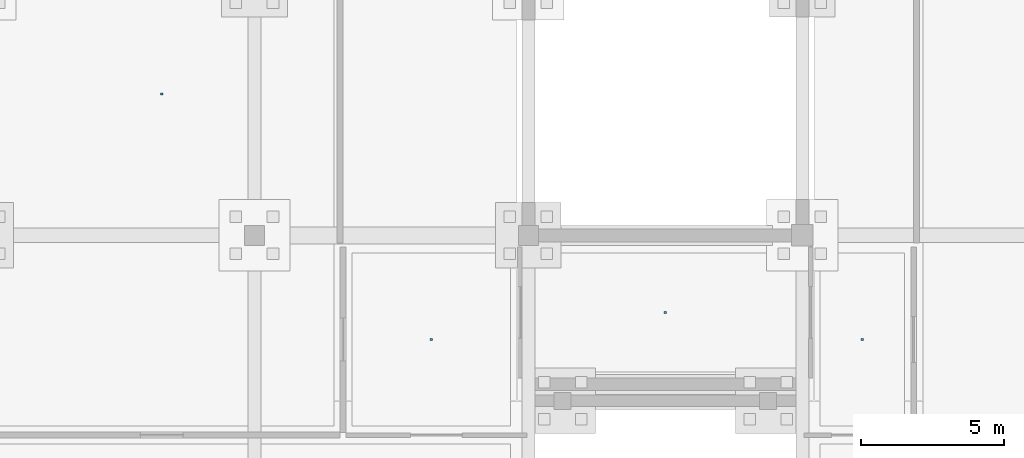
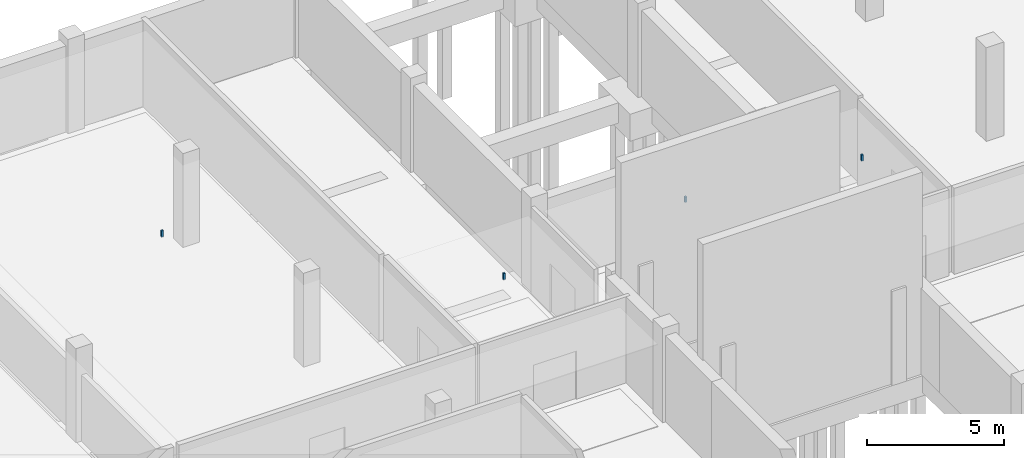
# One storey, part 25 of 31: 4 discrete accessories.
"""IFC4 building model written with IfcOpenShell, lengths in metres."""

from ifc_helpers import new_model, si_unit, direction, frame, origin, origin_2d, place, context, subcontext, project, spatial, rectangle, extrude, material, type_object, element, save


model = new_model("IFC4")

# Units and contexts
model_context = context("Model", 3, precision=1e-05, world=origin(), true_north=direction((0.0, 1.0)))
body_context = subcontext(model_context, "Body", "Model", "MODEL_VIEW")
ifc_project = project(units=[si_unit("LENGTHUNIT", "METRE"), si_unit("AREAUNIT", "SQUARE_METRE"), si_unit("VOLUMEUNIT", "CUBIC_METRE"), si_unit("PLANEANGLEUNIT", "RADIAN"), si_unit("MASSUNIT", "GRAM", prefix="KILO")], contexts=[model_context])

# Site, building, storey
site_placement = place(None, origin())
site = spatial("IfcSite", under=ifc_project, at=site_placement, CompositionType="ELEMENT")
building_placement = place(site_placement, origin())
building = spatial("IfcBuilding", under=site, at=building_placement, Name="Chalmorin Arch Market", CompositionType="ELEMENT")
storey_placement = place(building_placement, frame((0.0, 0.0, -4.199951171875)))
storey = spatial("IfcBuildingStorey", under=building, at=storey_placement, Name="B1", CompositionType="ELEMENT", Elevation=-4.199951171875)

# Discrete accessories
ifc_material = material(Name="Galvanized Cold-Formed Steel", Category="steel")
discrete_accessory_type = type_object("IfcDiscreteAccessoryType", Name="CeilingSuspensionBracket-80x80", PredefinedType="BRACKET", material=ifc_material)
for number, where, z_axis, x_axis, name in (
    (1, (25.550048828125, 105.75, 3.65283203125), (0.0, 0.0, 1.0), (1.0, 0.0, 0.0), "CSB-008"),
    (2, (35.0, 97.14990234375, 3.65283203125), (0.0, 0.0, 1.0), (1.0, 0.0, 0.0), "CSB-012"),
):
    element("IfcDiscreteAccessory", number, at=place(storey_placement, frame(where, z_axis=z_axis, x_axis=x_axis)), inside=storey, type_object=discrete_accessory_type, Name=name, PredefinedType="BRACKET", context=body_context, shape_type="SweptSolid", body=[
        extrude(rectangle(XDim=0.080078125, YDim=0.080078125, at=origin_2d()), origin(), (0.0, 0.0, 1.0), 0.277099609375),
    ])
discrete_accessory_1_placement = place(storey_placement, frame((43.199951171875, 98.10009765625, 3.65283203125), z_axis=(0.0, 0.0, 1.0), x_axis=(1.0, 0.0, 0.0)))
element("IfcDiscreteAccessory", 3, at=discrete_accessory_1_placement, inside=storey, type_object=discrete_accessory_type, Name="CSB-014", PredefinedType="BRACKET", context=body_context, shape_type="SweptSolid", body=[
    extrude(rectangle(XDim=0.080078125, YDim=0.080078125, at=origin_2d()), origin(), (0.0, 0.0, 1.0), 0.2470703125),
])
discrete_accessory_2_placement = place(storey_placement, frame((50.10009765625, 97.14990234375, 3.65283203125), z_axis=(0.0, 0.0, 1.0), x_axis=(1.0, 0.0, 0.0)))
element("IfcDiscreteAccessory", 4, at=discrete_accessory_2_placement, inside=storey, type_object=discrete_accessory_type, Name="CSB-016", PredefinedType="BRACKET", context=body_context, shape_type="SweptSolid", body=[
    extrude(rectangle(XDim=0.080078125, YDim=0.080078125, at=origin_2d()), origin(), (0.0, 0.0, 1.0), 0.277099609375),
])

save(model, "model.ifc")
